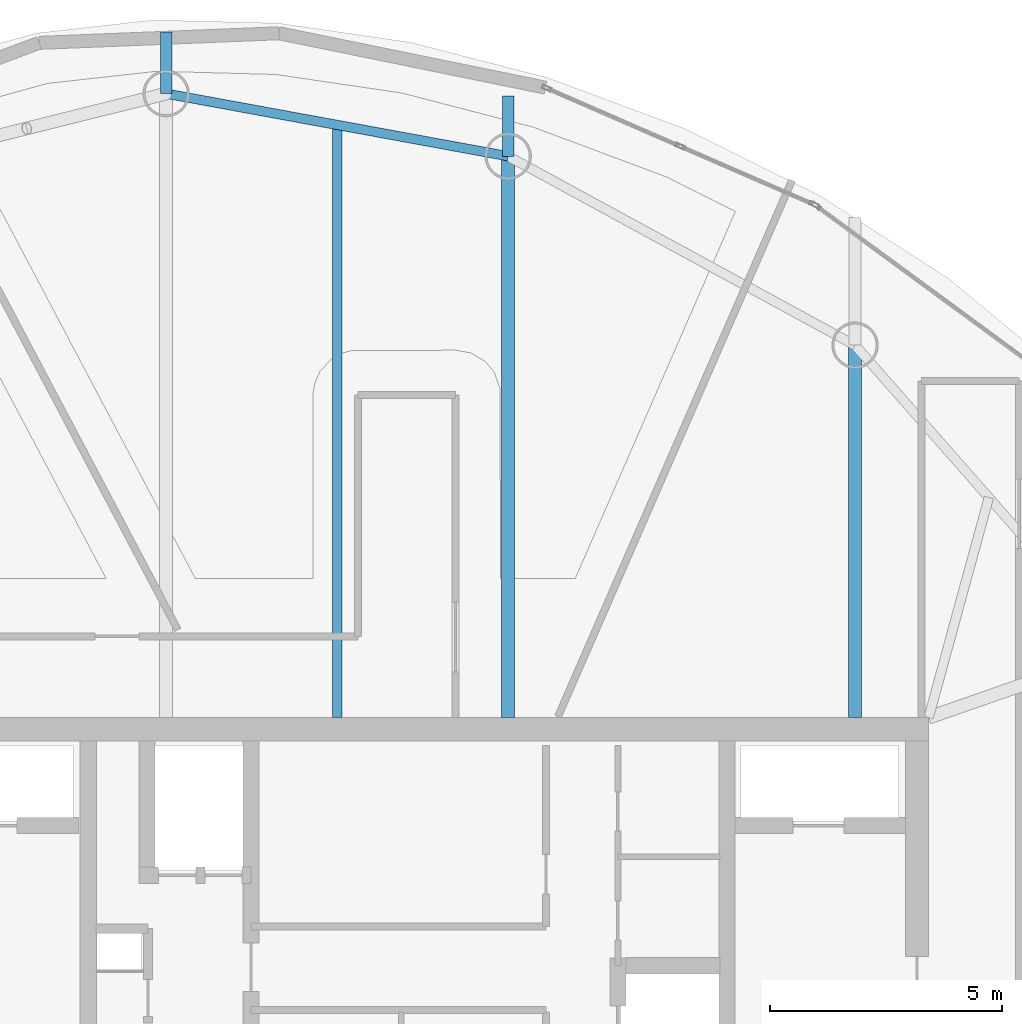
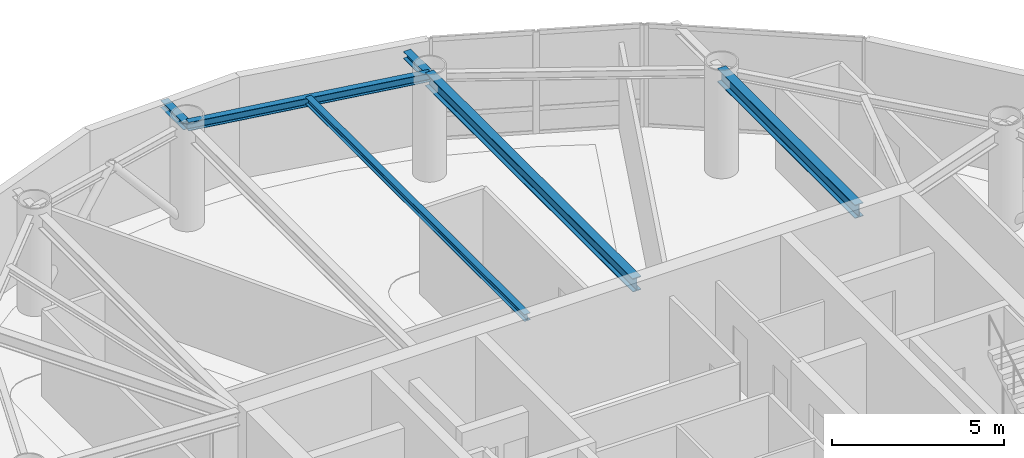
# One storey, part 11 of 20: 6 beams.
"""IFC4 building model written with IfcOpenShell, lengths in metres."""

import ifcopenshell
import ifcopenshell.guid

model = None  # the IFC model being written
_history = None  # IfcOwnerHistory: only IFC2X3 demands one
_inside = {}  # id of a spatial element -> (the spatial element, [elements in it])
_under = {}  # id of a project, library or spatial element -> (it, [spatial elements below it])
_declared = {}  # id of a project -> (the project, [libraries it declares])
_typed = {}  # id of a type object -> (the type object, [elements of that type])
_made_of = {}  # id of a material, layer set ... -> (it, [elements and type objects made of it])


def new_model(schema):
    """Start an empty IFC model of exactly this schema.

    Asked for "IFC4X3", IfcOpenShell would pick the latest addendum, in which some entities
    have other attributes; the version numbers below select the first issue.
    IFC2X3 requires an IfcOwnerHistory on every rooted entity: one is made here for all.
    """
    global model, _history
    if schema == "IFC4X3":
        model = ifcopenshell.file(schema_version=(4, 3, 0, 0))
    else:
        model = ifcopenshell.file(schema=schema)
    _inside.clear()
    _under.clear()
    _declared.clear()
    _typed.clear()
    _made_of.clear()
    _history = None
    if model.schema == "IFC2X3":
        org = make("IfcOrganization", Name="unknown")
        user = make(
            "IfcPersonAndOrganization",
            ThePerson=make("IfcPerson", FamilyName="unknown"),
            TheOrganization=org,
        )
        app = make(
            "IfcApplication",
            ApplicationDeveloper=org,
            Version="unknown",
            ApplicationFullName="unknown",
            ApplicationIdentifier="unknown",
        )
        _history = make(
            "IfcOwnerHistory",
            OwningUser=user,
            OwningApplication=app,
            ChangeAction="ADDED",
            CreationDate=0,
        )
    return model


def make(cls, **values):
    """One entity of the class cls with the attributes given. An attribute that is None is left unset."""
    return model.create_entity(
        cls, **{name: value for name, value in values.items() if value is not None}
    )


def rooted(cls, **values):
    """An entity with a GlobalId (a new one), such as an element, a storey or a relation."""
    return make(cls, GlobalId=ifcopenshell.guid.new(), OwnerHistory=_history, **values)


def si_unit(unit_type, name, prefix=None):
    """IfcSIUnit, for example si_unit("LENGTHUNIT", "METRE", prefix="MILLI")."""
    return make("IfcSIUnit", UnitType=unit_type, Prefix=prefix, Name=name)


def assignment(units):
    """IfcUnitAssignment: the units of a project."""
    return None if units is None else make("IfcUnitAssignment", Units=units)


def point(xyz):
    """IfcCartesianPoint."""
    return None if xyz is None else make("IfcCartesianPoint", Coordinates=xyz)


def direction(xyz):
    """IfcDirection."""
    return None if xyz is None else make("IfcDirection", DirectionRatios=xyz)


def frame(location, z_axis=None, x_axis=None):
    """IfcAxis2Placement3D, a coordinate frame: its origin and axes. An axis left out is left unset."""
    return make(
        "IfcAxis2Placement3D",
        Location=point(location),
        Axis=direction(z_axis),
        RefDirection=direction(x_axis),
    )


def frame_2d(location, x_axis=None):
    """IfcAxis2Placement2D, a coordinate frame in the plane: its origin and x axis."""
    return make(
        "IfcAxis2Placement2D", Location=point(location), RefDirection=direction(x_axis)
    )


def origin():
    """The frame at (0, 0, 0) with its axes left unset."""
    return frame((0.0, 0.0, 0.0))


def origin_2d():
    """The frame at (0, 0) in the plane with its x axis left unset."""
    return frame_2d((0.0, 0.0))


def place(relative_to, where):
    """IfcLocalPlacement: puts the frame where relative to a parent placement (None: the world)."""
    return make(
        "IfcLocalPlacement", PlacementRelTo=relative_to, RelativePlacement=where
    )


def context(
    kind, dimensions, precision=None, world=None, true_north=None, identifier=None
):
    """IfcGeometricRepresentationContext, for example the 3D "Model" context."""
    return make(
        "IfcGeometricRepresentationContext",
        ContextIdentifier=identifier,
        ContextType=kind,
        CoordinateSpaceDimension=dimensions,
        Precision=precision,
        WorldCoordinateSystem=world,
        TrueNorth=true_north,
    )


def subcontext(parent, identifier, kind, view, scale=None):
    """IfcGeometricRepresentationSubContext, for example "Body" below "Model"."""
    return make(
        "IfcGeometricRepresentationSubContext",
        ContextIdentifier=identifier,
        ContextType=kind,
        ParentContext=parent,
        TargetScale=scale,
        TargetView=view,
    )


def project(units=None, contexts=None):
    """IfcProject with its units and contexts."""
    return rooted(
        "IfcProject",
        Name="project",
        RepresentationContexts=contexts,
        UnitsInContext=assignment(units),
    )


def spatial(cls, under=None, at=None, **own):
    """A site, building, storey or space (cls), placed at a placement, below another one or the project."""
    s = rooted(cls, ObjectPlacement=at, **own)
    if under is not None:
        _under.setdefault(under.id(), (under, []))[1].append(s)
    return s


def profile(cls, at=None, kind="AREA", **sizes):
    """A parametric profile (cls). Its sizes go by their IFC names, for example OverallWidth=200.0."""
    return make(cls, ProfileType=kind, Position=at, **sizes)


def i_section(**sizes):
    """IfcIShapeProfileDef."""
    return profile("IfcIShapeProfileDef", **sizes)


def extrude(swept, where, along, depth):
    """IfcExtrudedAreaSolid: the profile swept, set in the frame where, extruded along a direction by depth."""
    return make(
        "IfcExtrudedAreaSolid",
        SweptArea=swept,
        Position=where,
        ExtrudedDirection=direction(along),
        Depth=depth,
    )


def shape(context_of_items, identifier, shape_type, items):
    """IfcShapeRepresentation: the items that make up one representation, for example the "Body"."""
    return make(
        "IfcShapeRepresentation",
        ContextOfItems=context_of_items,
        RepresentationIdentifier=identifier,
        RepresentationType=shape_type,
        Items=items,
    )


def material(Name=None, Category=None):
    """IfcMaterial."""
    return make("IfcMaterial", Name=Name, Category=Category)


def material_profile(
    of_material, cross_section, Name=None, Category=None, Priority=None
):
    """IfcMaterialProfile: a cross section and its material."""
    return make(
        "IfcMaterialProfile",
        Name=Name,
        Material=of_material,
        Profile=cross_section,
        Priority=Priority,
        Category=Category,
    )


def profile_set(profiles, Name=None, composite=None):
    """IfcMaterialProfileSet."""
    return make(
        "IfcMaterialProfileSet",
        Name=Name,
        MaterialProfiles=profiles,
        CompositeProfile=composite,
    )


def made_of(thing, what):
    """Note that an element or type object is made of a material, layer set ...; save() writes the relation."""
    if what is not None:
        _made_of.setdefault(what.id(), (what, []))[1].append(thing)
    return thing


def type_object(cls, material=None, **own):
    """A type object (cls), such as IfcWallType, which elements share."""
    return made_of(rooted(cls, **own), material)


def element(
    cls,
    number,
    at=None,
    inside=None,
    cuts=None,
    type_object=None,
    material=None,
    context=None,
    identifier="Body",
    shape_type=None,
    held_by="IfcProductDefinitionShape",
    body=None,
    shapes=None,
    **own,
):
    """One element of the class cls, such as IfcWall. Its Tag is "e" and its number.

    at: its placement. inside: the storey or other place that contains it. cuts: it is an
    opening in that element (IfcRelVoidsElement). A single representation is given by context,
    identifier, shape_type and body (its items); several are given by shapes. held_by: the class
    of the entity that holds the representations. save() writes the other relations.
    """
    e = rooted(cls, Tag="e%d" % number, ObjectPlacement=at, **own)
    if body is not None:
        shapes = [shape(context, identifier, shape_type, body)]
    if shapes is not None:
        e.Representation = make(held_by, Representations=shapes)
    if inside is not None:
        _inside.setdefault(inside.id(), (inside, []))[1].append(e)
    if cuts is not None:
        rooted(
            "IfcRelVoidsElement", RelatingBuildingElement=cuts, RelatedOpeningElement=e
        )
    if type_object is not None:
        _typed.setdefault(type_object.id(), (type_object, []))[1].append(e)
    return made_of(e, material)


def aggregate(whole, parts):
    """IfcRelAggregates: a whole, such as a stair, and the parts it consists of."""
    return rooted("IfcRelAggregates", RelatingObject=whole, RelatedObjects=parts)


def save(model, path):
    """Write the relations noted so far, then the file.

    IfcRelAggregates (storeys below a building ...), IfcRelContainedInSpatialStructure (elements
    in a storey), IfcRelDefinesByType, IfcRelAssociatesMaterial and IfcRelDeclares: one each for
    every whole, place, type object, material and project.
    """
    for whole, parts in _under.values():
        aggregate(whole, parts)
    for where, things in _inside.values():
        rooted(
            "IfcRelContainedInSpatialStructure",
            RelatedElements=things,
            RelatingStructure=where,
        )
    for kind, things in _typed.values():
        rooted("IfcRelDefinesByType", RelatedObjects=things, RelatingType=kind)
    for what, things in _made_of.values():
        rooted("IfcRelAssociatesMaterial", RelatedObjects=things, RelatingMaterial=what)
    for by, libraries in _declared.values():
        rooted("IfcRelDeclares", RelatingContext=by, RelatedDefinitions=libraries)
    model.write(path)


model = new_model("IFC4")

# Units and contexts
model_context = context("Model", 3, precision=1e-05, world=origin(), true_north=direction((0.0, 1.0)))
body_context = subcontext(model_context, "Body", "Model", "MODEL_VIEW")
ifc_project = project(units=[si_unit("LENGTHUNIT", "METRE"), si_unit("AREAUNIT", "SQUARE_METRE"), si_unit("VOLUMEUNIT", "CUBIC_METRE"), si_unit("PLANEANGLEUNIT", "RADIAN"), si_unit("MASSUNIT", "GRAM", prefix="KILO")], contexts=[model_context])

# Site, building, storey
site_placement = place(None, origin())
site = spatial("IfcSite", under=ifc_project, at=site_placement, CompositionType="ELEMENT")
building_placement = place(site_placement, origin())
building = spatial("IfcBuilding", under=site, at=building_placement, Name="Bramvorn Convention Spire", CompositionType="ELEMENT")
storey_placement = place(building_placement, frame((0.0, 0.0, 269.0)))
storey = spatial("IfcBuildingStorey", under=building, at=storey_placement, Name="L68", CompositionType="ELEMENT", Elevation=269.0)

# Beams
ifc_material = material(Name="Steel CSA G40.21 Grade 350 (350W)", Category="steel")
ifc_material_profile_1 = material_profile(ifc_material, i_section(OverallWidth=0.201904296875, OverallDepth=0.2470703125, WebThickness=0.00732421875, FlangeThickness=0.010986328125, FilletRadius=0.011962890625, at=origin_2d()))
ifc_profile_set_1 = profile_set([ifc_material_profile_1], Name="Steel CSA G40.21 Grade 350 (350W) - W250X49")
beam_type_1 = type_object("IfcBeamType", Name="BM-W250X49", PredefinedType="JOIST", material=ifc_profile_set_1)
beam_1_placement = place(storey_placement, frame((36.498046875, 33.449951171875, 3.50146484375), z_axis=(0.0, 1.0, 0.0), x_axis=(-1.0, 0.0, 0.0)))
element("IfcBeam", 1, at=beam_1_placement, inside=storey, type_object=beam_type_1, Name="L68 composite floor joist 07", PredefinedType="JOIST", context=body_context, shape_type="SweptSolid", body=[
    extrude(i_section(OverallWidth=0.201904296875, OverallDepth=0.2470703125, WebThickness=0.00732421875, FlangeThickness=0.010986328125, FilletRadius=0.011962890625, at=origin_2d()), origin(), (0.0, 0.0, 1.0), 12.77587890625),
])
ifc_material_profile_2 = material_profile(ifc_material, i_section(OverallWidth=0.25390625, OverallDepth=0.2529296875, WebThickness=0.008544921875, FlangeThickness=0.01416015625, FilletRadius=0.011962890625, at=origin_2d()))
ifc_profile_set_2 = profile_set([ifc_material_profile_2], Name="Steel CSA G40.21 Grade 350 (350W) - W250X73")
beam_type_2 = type_object("IfcBeamType", Name="BM-W250X73", PredefinedType="BEAM", material=ifc_profile_set_2)
beam_2_placement = place(storey_placement, frame((40.1845703125, 45.55078125, 3.45849609375), z_axis=(0.0, 1.0, 0.0), x_axis=(-1.0, 0.0, 0.0)))
element("IfcBeam", 2, at=beam_2_placement, inside=storey, type_object=beam_type_2, Name="L68 slab-edge cantilever tip beam MC07", PredefinedType="BEAM", context=body_context, shape_type="SweptSolid", body=[
    extrude(i_section(OverallWidth=0.25390625, OverallDepth=0.2529296875, WebThickness=0.008544921875, FlangeThickness=0.01416015625, FilletRadius=0.011962890625, at=origin_2d()), origin(), (0.0, 0.0, 1.0), 1.300537109375),
])
beam_3_placement = place(storey_placement, frame((32.8115234375, 46.90087890625, 3.45849609375), z_axis=(0.0, 1.0, 0.0), x_axis=(-1.0, 0.0, 0.0)))
element("IfcBeam", 3, at=beam_3_placement, inside=storey, type_object=beam_type_2, Name="L68 slab-edge cantilever tip beam MC08", PredefinedType="BEAM", context=body_context, shape_type="SweptSolid", body=[
    extrude(i_section(OverallWidth=0.25390625, OverallDepth=0.2529296875, WebThickness=0.008544921875, FlangeThickness=0.01416015625, FilletRadius=0.011962890625, at=origin_2d()), origin(), (0.0, 0.0, 1.0), 1.33203125),
])
ifc_material_profile_3 = material_profile(ifc_material, i_section(OverallWidth=0.202880859375, OverallDepth=0.302978515625, WebThickness=0.007568359375, FlangeThickness=0.01318359375, FilletRadius=0.013916015625, at=origin_2d()))
ifc_profile_set_3 = profile_set([ifc_material_profile_3], Name="Steel CSA G40.21 Grade 350 (350W) - W310X60")
beam_type_3 = type_object("IfcBeamType", Name="BM-W310X60", PredefinedType="JOIST", material=ifc_profile_set_3)
beam_4_placement = place(storey_placement, frame((40.1845703125, 45.55078125, 3.473388671875), z_axis=(-0.983645049461, 0.180117785547, 0.0), x_axis=(-0.180117785547, -0.983645049461, 0.0)))
element("IfcBeam", 4, at=beam_4_placement, inside=storey, type_object=beam_type_3, Name="L68 mega-column ring beam 07", PredefinedType="JOIST", context=body_context, shape_type="SweptSolid", body=[
    extrude(i_section(OverallWidth=0.202880859375, OverallDepth=0.302978515625, WebThickness=0.007568359375, FlangeThickness=0.01318359375, FilletRadius=0.013916015625, at=origin_2d()), origin(), (0.0, 0.0, 1.0), 7.49560546875),
])
ifc_material_profile_4 = material_profile(ifc_material, i_section(OverallWidth=0.283935546875, OverallDepth=0.47607421875, WebThickness=0.014892578125, FlangeThickness=0.02392578125, FilletRadius=0.01806640625, at=origin_2d()))
ifc_profile_set_4 = profile_set([ifc_material_profile_4], Name="Steel CSA G40.21 Grade 350 (350W) - W460X158")
beam_type_4 = type_object("IfcBeamType", Name="BM-W460X158", PredefinedType="SPANDREL", material=ifc_profile_set_4)
beam_5_placement = place(storey_placement, frame((47.662353515625, 33.449951171875, 3.386962890625), z_axis=(0.0, 1.0, 0.0), x_axis=(-1.0, 0.0, 0.0)))
element("IfcBeam", 5, at=beam_5_placement, inside=storey, type_object=beam_type_4, Name="L68 radial floor girder MC06", PredefinedType="SPANDREL", context=body_context, shape_type="SweptSolid", body=[
    extrude(i_section(OverallWidth=0.283935546875, OverallDepth=0.47607421875, WebThickness=0.014892578125, FlangeThickness=0.02392578125, FilletRadius=0.01806640625, at=origin_2d()), origin(), (0.0, 0.0, 1.0), 8.02685546875),
])
beam_6_placement = place(storey_placement, frame((40.1845703125, 33.449951171875, 3.386962890625), z_axis=(0.0, 1.0, 0.0), x_axis=(-1.0, 0.0, 0.0)))
element("IfcBeam", 6, at=beam_6_placement, inside=storey, type_object=beam_type_4, Name="L68 radial floor girder MC07", PredefinedType="SPANDREL", context=body_context, shape_type="SweptSolid", body=[
    extrude(i_section(OverallWidth=0.283935546875, OverallDepth=0.47607421875, WebThickness=0.014892578125, FlangeThickness=0.02392578125, FilletRadius=0.01806640625, at=origin_2d()), origin(), (0.0, 0.0, 1.0), 12.100830078125),
])

save(model, "model.ifc")
